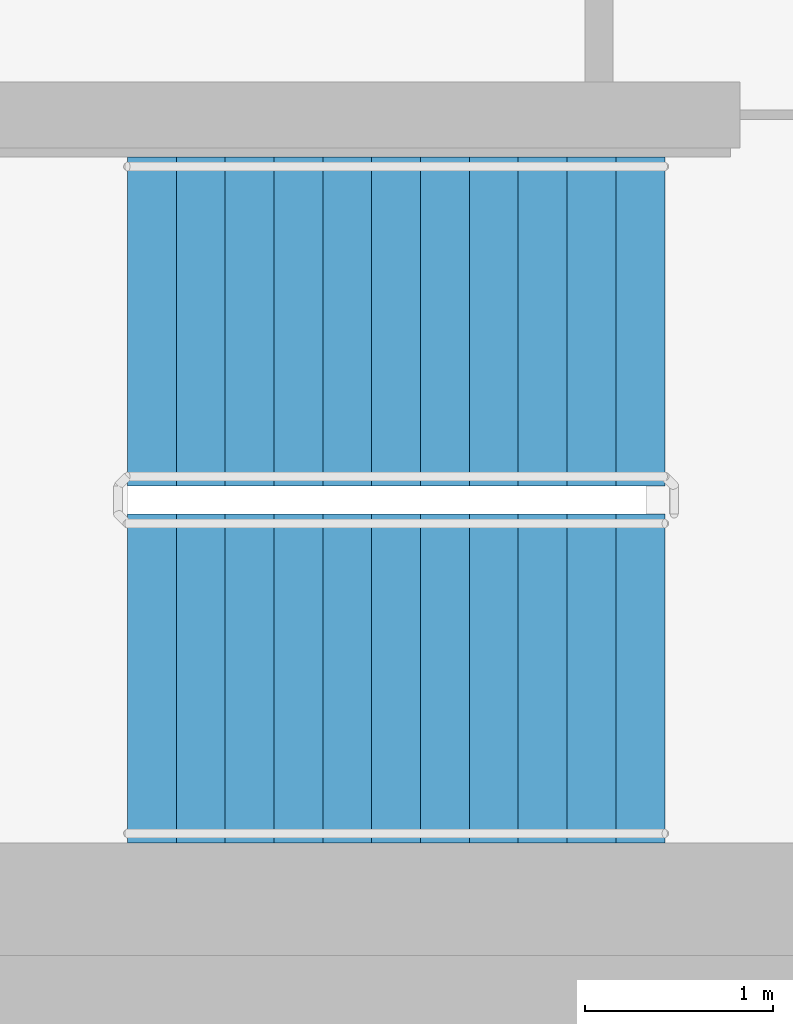
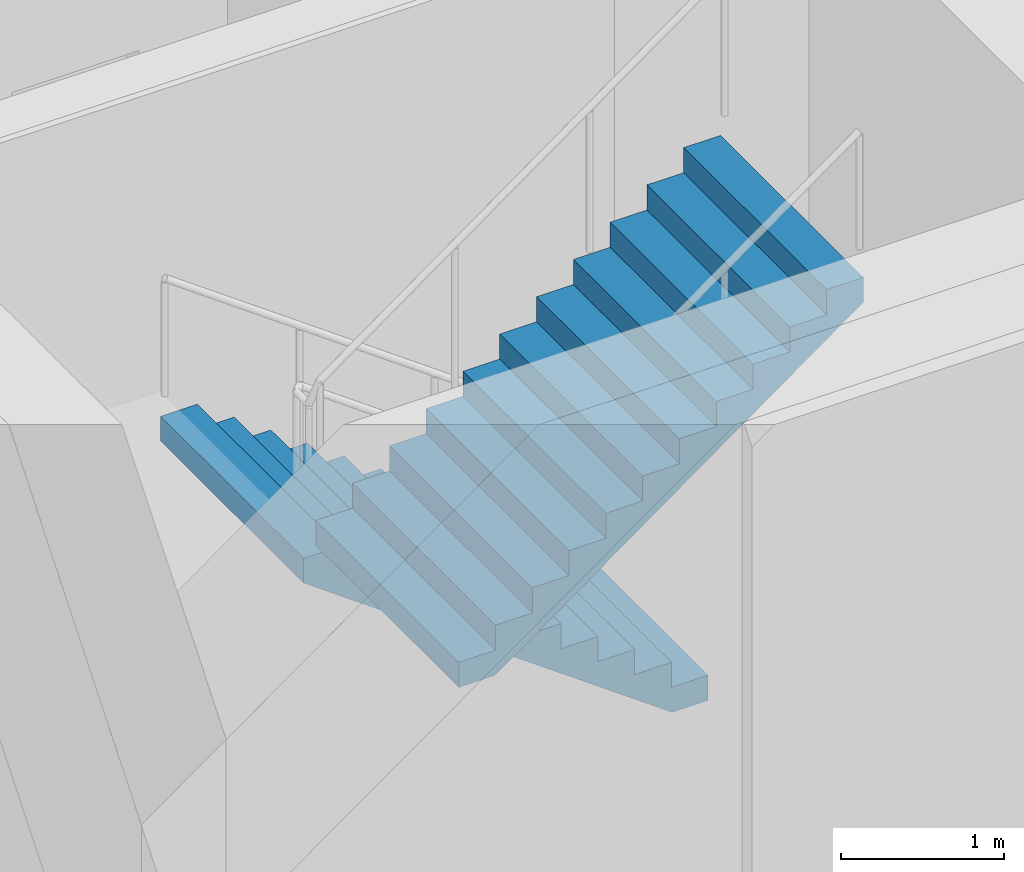
# One storey, part 12 of 20: 2 stair flights, 1 element without a shape of its own.
"""IFC4 building model written with IfcOpenShell, lengths in metres."""

import ifcopenshell
import ifcopenshell.guid

model = None  # the IFC model being written
_history = None  # IfcOwnerHistory: only IFC2X3 demands one
_inside = {}  # id of a spatial element -> (the spatial element, [elements in it])
_under = {}  # id of a project, library or spatial element -> (it, [spatial elements below it])
_declared = {}  # id of a project -> (the project, [libraries it declares])
_typed = {}  # id of a type object -> (the type object, [elements of that type])
_made_of = {}  # id of a material, layer set ... -> (it, [elements and type objects made of it])


def new_model(schema):
    """Start an empty IFC model of exactly this schema.

    Asked for "IFC4X3", IfcOpenShell would pick the latest addendum, in which some entities
    have other attributes; the version numbers below select the first issue.
    IFC2X3 requires an IfcOwnerHistory on every rooted entity: one is made here for all.
    """
    global model, _history
    if schema == "IFC4X3":
        model = ifcopenshell.file(schema_version=(4, 3, 0, 0))
    else:
        model = ifcopenshell.file(schema=schema)
    _inside.clear()
    _under.clear()
    _declared.clear()
    _typed.clear()
    _made_of.clear()
    _history = None
    if model.schema == "IFC2X3":
        org = make("IfcOrganization", Name="unknown")
        user = make(
            "IfcPersonAndOrganization",
            ThePerson=make("IfcPerson", FamilyName="unknown"),
            TheOrganization=org,
        )
        app = make(
            "IfcApplication",
            ApplicationDeveloper=org,
            Version="unknown",
            ApplicationFullName="unknown",
            ApplicationIdentifier="unknown",
        )
        _history = make(
            "IfcOwnerHistory",
            OwningUser=user,
            OwningApplication=app,
            ChangeAction="ADDED",
            CreationDate=0,
        )
    return model


def make(cls, **values):
    """One entity of the class cls with the attributes given. An attribute that is None is left unset."""
    return model.create_entity(
        cls, **{name: value for name, value in values.items() if value is not None}
    )


def rooted(cls, **values):
    """An entity with a GlobalId (a new one), such as an element, a storey or a relation."""
    return make(cls, GlobalId=ifcopenshell.guid.new(), OwnerHistory=_history, **values)


def si_unit(unit_type, name, prefix=None):
    """IfcSIUnit, for example si_unit("LENGTHUNIT", "METRE", prefix="MILLI")."""
    return make("IfcSIUnit", UnitType=unit_type, Prefix=prefix, Name=name)


def assignment(units):
    """IfcUnitAssignment: the units of a project."""
    return None if units is None else make("IfcUnitAssignment", Units=units)


def point(xyz):
    """IfcCartesianPoint."""
    return None if xyz is None else make("IfcCartesianPoint", Coordinates=xyz)


def direction(xyz):
    """IfcDirection."""
    return None if xyz is None else make("IfcDirection", DirectionRatios=xyz)


def frame(location, z_axis=None, x_axis=None):
    """IfcAxis2Placement3D, a coordinate frame: its origin and axes. An axis left out is left unset."""
    return make(
        "IfcAxis2Placement3D",
        Location=point(location),
        Axis=direction(z_axis),
        RefDirection=direction(x_axis),
    )


def origin():
    """The frame at (0, 0, 0) with its axes left unset."""
    return frame((0.0, 0.0, 0.0))


def place(relative_to, where):
    """IfcLocalPlacement: puts the frame where relative to a parent placement (None: the world)."""
    return make(
        "IfcLocalPlacement", PlacementRelTo=relative_to, RelativePlacement=where
    )


def context(
    kind, dimensions, precision=None, world=None, true_north=None, identifier=None
):
    """IfcGeometricRepresentationContext, for example the 3D "Model" context."""
    return make(
        "IfcGeometricRepresentationContext",
        ContextIdentifier=identifier,
        ContextType=kind,
        CoordinateSpaceDimension=dimensions,
        Precision=precision,
        WorldCoordinateSystem=world,
        TrueNorth=true_north,
    )


def subcontext(parent, identifier, kind, view, scale=None):
    """IfcGeometricRepresentationSubContext, for example "Body" below "Model"."""
    return make(
        "IfcGeometricRepresentationSubContext",
        ContextIdentifier=identifier,
        ContextType=kind,
        ParentContext=parent,
        TargetScale=scale,
        TargetView=view,
    )


def project(units=None, contexts=None):
    """IfcProject with its units and contexts."""
    return rooted(
        "IfcProject",
        Name="project",
        RepresentationContexts=contexts,
        UnitsInContext=assignment(units),
    )


def spatial(cls, under=None, at=None, **own):
    """A site, building, storey or space (cls), placed at a placement, below another one or the project."""
    s = rooted(cls, ObjectPlacement=at, **own)
    if under is not None:
        _under.setdefault(under.id(), (under, []))[1].append(s)
    return s


def faces_of(points, faces, orient=None, outer=None):
    """IfcFace entities. A face is a list of loops; a loop is a list of indices into points, from 0.

    orient and outer hold one flag for each loop. By default every Orientation is true, the
    first loop of a face is its IfcFaceOuterBound and the others are IfcFaceBound.
    """
    made = []
    for i, loops in enumerate(faces):
        bounds = []
        for j, loop in enumerate(loops):
            is_outer = j == 0 if outer is None else outer[i][j]
            bounds.append(
                make(
                    "IfcFaceOuterBound" if is_outer else "IfcFaceBound",
                    Bound=make("IfcPolyLoop", Polygon=[points[k] for k in loop]),
                    Orientation=True if orient is None else orient[i][j],
                )
            )
        made.append(make("IfcFace", Bounds=bounds))
    return made


def faceted_brep(points, faces, orient=None, outer=None, voids=None):
    """IfcFacetedBrep: a solid bounded by flat faces; with voids (closed shells), ...WithVoids."""
    shared = [point(p) for p in points]
    hull = make("IfcClosedShell", CfsFaces=faces_of(shared, faces, orient, outer))
    if voids is None:
        return make("IfcFacetedBrep", Outer=hull)
    return make(
        "IfcFacetedBrepWithVoids",
        Outer=hull,
        Voids=[
            make(cls, CfsFaces=faces_of(shared, fs, o, b)) for cls, fs, o, b in voids
        ],
    )


def shape(context_of_items, identifier, shape_type, items):
    """IfcShapeRepresentation: the items that make up one representation, for example the "Body"."""
    return make(
        "IfcShapeRepresentation",
        ContextOfItems=context_of_items,
        RepresentationIdentifier=identifier,
        RepresentationType=shape_type,
        Items=items,
    )


def material(Name=None, Category=None):
    """IfcMaterial."""
    return make("IfcMaterial", Name=Name, Category=Category)


def made_of(thing, what):
    """Note that an element or type object is made of a material, layer set ...; save() writes the relation."""
    if what is not None:
        _made_of.setdefault(what.id(), (what, []))[1].append(thing)
    return thing


def type_object(cls, material=None, **own):
    """A type object (cls), such as IfcWallType, which elements share."""
    return made_of(rooted(cls, **own), material)


def element(
    cls,
    number,
    at=None,
    inside=None,
    cuts=None,
    type_object=None,
    material=None,
    context=None,
    identifier="Body",
    shape_type=None,
    held_by="IfcProductDefinitionShape",
    body=None,
    shapes=None,
    **own,
):
    """One element of the class cls, such as IfcWall. Its Tag is "e" and its number.

    at: its placement. inside: the storey or other place that contains it. cuts: it is an
    opening in that element (IfcRelVoidsElement). A single representation is given by context,
    identifier, shape_type and body (its items); several are given by shapes. held_by: the class
    of the entity that holds the representations. save() writes the other relations.
    """
    e = rooted(cls, Tag="e%d" % number, ObjectPlacement=at, **own)
    if body is not None:
        shapes = [shape(context, identifier, shape_type, body)]
    if shapes is not None:
        e.Representation = make(held_by, Representations=shapes)
    if inside is not None:
        _inside.setdefault(inside.id(), (inside, []))[1].append(e)
    if cuts is not None:
        rooted(
            "IfcRelVoidsElement", RelatingBuildingElement=cuts, RelatedOpeningElement=e
        )
    if type_object is not None:
        _typed.setdefault(type_object.id(), (type_object, []))[1].append(e)
    return made_of(e, material)


def aggregate(whole, parts):
    """IfcRelAggregates: a whole, such as a stair, and the parts it consists of."""
    return rooted("IfcRelAggregates", RelatingObject=whole, RelatedObjects=parts)


def save(model, path):
    """Write the relations noted so far, then the file.

    IfcRelAggregates (storeys below a building ...), IfcRelContainedInSpatialStructure (elements
    in a storey), IfcRelDefinesByType, IfcRelAssociatesMaterial and IfcRelDeclares: one each for
    every whole, place, type object, material and project.
    """
    for whole, parts in _under.values():
        aggregate(whole, parts)
    for where, things in _inside.values():
        rooted(
            "IfcRelContainedInSpatialStructure",
            RelatedElements=things,
            RelatingStructure=where,
        )
    for kind, things in _typed.values():
        rooted("IfcRelDefinesByType", RelatedObjects=things, RelatingType=kind)
    for what, things in _made_of.values():
        rooted("IfcRelAssociatesMaterial", RelatedObjects=things, RelatingMaterial=what)
    for by, libraries in _declared.values():
        rooted("IfcRelDeclares", RelatingContext=by, RelatedDefinitions=libraries)
    model.write(path)


model = new_model("IFC4")

# Units and contexts
model_context = context("Model", 3, precision=1e-05, world=origin(), true_north=direction((0.0, 1.0)))
body_context = subcontext(model_context, "Body", "Model", "MODEL_VIEW")
ifc_project = project(units=[si_unit("LENGTHUNIT", "METRE"), si_unit("AREAUNIT", "SQUARE_METRE"), si_unit("VOLUMEUNIT", "CUBIC_METRE"), si_unit("PLANEANGLEUNIT", "RADIAN"), si_unit("MASSUNIT", "GRAM", prefix="KILO")], contexts=[model_context])

# Site, building, storey
site_placement = place(None, origin())
site = spatial("IfcSite", under=ifc_project, at=site_placement, CompositionType="ELEMENT")
building_placement = place(site_placement, origin())
building = spatial("IfcBuilding", under=site, at=building_placement, Name="Ipe Terrace Towers", CompositionType="ELEMENT")
storey_placement = place(building_placement, frame((0.0, 0.0, 242.39990234375)))
storey = spatial("IfcBuildingStorey", under=building, at=storey_placement, Name="L67", CompositionType="ELEMENT", Elevation=242.39990234375)

# Stair, stair flights
ifc_material_1 = material(Name="Concrete C30/37", Category="concrete")
stair_type = type_object("IfcStairType", Name="Protected exit stair", PredefinedType="HALF_TURN_STAIR", material=ifc_material_1)
stair_placement = place(storey_placement, origin())
stair = element("IfcStair", 1, at=stair_placement, inside=storey, type_object=stair_type, Name="L67 Exit stair T1-C2", PredefinedType="HALF_TURN_STAIR")
ifc_material_2 = material(Name="Concrete C30/37", Category="concrete")
stair_flight_type = type_object("IfcStairFlightType", Name="Exit stair flight 1750", PredefinedType="STRAIGHT", material=ifc_material_2)
stair_flight_1_placement = place(storey_placement, frame((-45.699951171875, -2.77490234375, 0.0), z_axis=(0.0, 0.0, 1.0), x_axis=(-1.0, 0.0, 0.0)))
stair_flight_1 = element("IfcStairFlight", 2, at=stair_flight_1_placement, type_object=stair_flight_type, Name="T1-ST2 flight 1", NumberOfRisers=12, NumberOfTreads=11, PredefinedType="STRAIGHT", RiserHeight=0.1875, TreadLength=0.26, context=body_context, shape_type="Brep", body=[
    faceted_brep([(0.25634765625, -0.875, 0.0), (2.860107421875, -0.875, 1.877685546875), (2.860107421875, -0.875, 2.0625), (2.60009765625, -0.875, 2.0625), (2.60009765625, -0.875, 1.875), (2.340087890625, -0.875, 1.875), (2.340087890625, -0.875, 1.6875), (2.080078125, -0.875, 1.6875), (2.080078125, -0.875, 1.5), (1.820068359375, -0.875, 1.5), (1.820068359375, -0.875, 1.3125), (1.56005859375, -0.875, 1.3125), (1.56005859375, -0.875, 1.125), (1.300048828125, -0.875, 1.125), (1.300048828125, -0.875, 0.9375), (1.0400390625, -0.875, 0.9375), (1.0400390625, -0.875, 0.75), (0.780029296875, -0.875, 0.75), (0.780029296875, -0.875, 0.5625), (0.52001953125, -0.875, 0.5625), (0.52001953125, -0.875, 0.375), (0.260009765625, -0.875, 0.375), (0.260009765625, -0.875, 0.1875), (0.0, -0.875, 0.1875), (0.0, -0.875, 0.0), (0.0, 0.875, 0.0), (0.0, 0.875, 0.1875), (0.260009765625, 0.875, 0.1875), (0.260009765625, 0.875, 0.375), (0.52001953125, 0.875, 0.375), (0.52001953125, 0.875, 0.5625), (0.780029296875, 0.875, 0.5625), (0.780029296875, 0.875, 0.75), (1.0400390625, 0.875, 0.75), (1.0400390625, 0.875, 0.9375), (1.300048828125, 0.875, 0.9375), (1.300048828125, 0.875, 1.125), (1.56005859375, 0.875, 1.125), (1.56005859375, 0.875, 1.3125), (1.820068359375, 0.875, 1.3125), (1.820068359375, 0.875, 1.5), (2.080078125, 0.875, 1.5), (2.080078125, 0.875, 1.6875), (2.340087890625, 0.875, 1.6875), (2.340087890625, 0.875, 1.875), (2.60009765625, 0.875, 1.875), (2.60009765625, 0.875, 2.0625), (2.860107421875, 0.875, 2.0625), (2.860107421875, 0.875, 1.877685546875), (0.25634765625, 0.875, 0.0), (0.0, -0.300048828125, 0.1875), (0.0, -0.1201171875, 0.1875), (0.0, -0.06005859375, 0.1875), (0.0, -0.030029296875, 0.1875), (0.0, -0.010009765625, 0.1875), (0.0, 0.0, 0.1875), (0.0, 0.010009765625, 0.1875), (0.0, 0.030029296875, 0.1875), (0.0, 0.06005859375, 0.1875), (0.0, 0.1201171875, 0.1875), (0.0, 0.300048828125, 0.1875), (0.0, 0.300048828125, 0.0), (0.0, 0.1201171875, 0.0), (0.0, 0.06005859375, 0.0), (0.0, 0.030029296875, 0.0), (0.0, 0.010009765625, 0.0), (0.0, 0.0, 0.0), (0.0, -0.010009765625, 0.0), (0.0, -0.030029296875, 0.0), (0.0, -0.06005859375, 0.0), (0.0, -0.1201171875, 0.0), (0.0, -0.300048828125, 0.0), (0.260009765625, -0.300048828125, 0.1875), (0.260009765625, -0.1201171875, 0.1875), (0.260009765625, -0.06005859375, 0.1875), (0.260009765625, -0.030029296875, 0.1875), (0.260009765625, -0.010009765625, 0.1875), (0.260009765625, 0.0, 0.1875), (0.260009765625, 0.010009765625, 0.1875), (0.260009765625, 0.030029296875, 0.1875), (0.260009765625, 0.06005859375, 0.1875), (0.260009765625, 0.1201171875, 0.1875), (0.260009765625, 0.300048828125, 0.1875), (0.260009765625, -0.300048828125, 0.375), (0.260009765625, -0.1201171875, 0.375), (0.260009765625, -0.06005859375, 0.375), (0.260009765625, -0.030029296875, 0.375), (0.260009765625, -0.010009765625, 0.375), (0.260009765625, 0.0, 0.375), (0.260009765625, 0.010009765625, 0.375), (0.260009765625, 0.030029296875, 0.375), (0.260009765625, 0.06005859375, 0.375), (0.260009765625, 0.1201171875, 0.375), (0.260009765625, 0.300048828125, 0.375), (0.52001953125, -0.300048828125, 0.375), (0.52001953125, -0.1201171875, 0.375), (0.52001953125, -0.06005859375, 0.375), (0.52001953125, -0.030029296875, 0.375), (0.52001953125, -0.010009765625, 0.375), (0.52001953125, 0.0, 0.375), (0.52001953125, 0.010009765625, 0.375), (0.52001953125, 0.030029296875, 0.375), (0.52001953125, 0.06005859375, 0.375), (0.52001953125, 0.1201171875, 0.375), (0.52001953125, 0.300048828125, 0.375), (0.52001953125, -0.300048828125, 0.5625), (0.52001953125, -0.1201171875, 0.5625), (0.52001953125, -0.06005859375, 0.5625), (0.52001953125, -0.030029296875, 0.5625), (0.52001953125, -0.010009765625, 0.5625), (0.52001953125, 0.0, 0.5625), (0.52001953125, 0.010009765625, 0.5625), (0.52001953125, 0.030029296875, 0.5625), (0.52001953125, 0.06005859375, 0.5625), (0.52001953125, 0.1201171875, 0.5625), (0.52001953125, 0.300048828125, 0.5625), (0.780029296875, -0.300048828125, 0.5625), (0.780029296875, -0.1201171875, 0.5625), (0.780029296875, -0.06005859375, 0.5625), (0.780029296875, -0.030029296875, 0.5625), (0.780029296875, -0.010009765625, 0.5625), (0.780029296875, 0.0, 0.5625), (0.780029296875, 0.010009765625, 0.5625), (0.780029296875, 0.030029296875, 0.5625), (0.780029296875, 0.06005859375, 0.5625), (0.780029296875, 0.1201171875, 0.5625), (0.780029296875, 0.300048828125, 0.5625), (0.780029296875, -0.300048828125, 0.75), (0.780029296875, -0.1201171875, 0.75), (0.780029296875, -0.06005859375, 0.75), (0.780029296875, -0.030029296875, 0.75), (0.780029296875, -0.010009765625, 0.75), (0.780029296875, 0.0, 0.75), (0.780029296875, 0.010009765625, 0.75), (0.780029296875, 0.030029296875, 0.75), (0.780029296875, 0.06005859375, 0.75), (0.780029296875, 0.1201171875, 0.75), (0.780029296875, 0.300048828125, 0.75), (1.0400390625, -0.300048828125, 0.75), (1.0400390625, -0.1201171875, 0.75), (1.0400390625, -0.06005859375, 0.75), (1.0400390625, -0.030029296875, 0.75), (1.0400390625, -0.010009765625, 0.75), (1.0400390625, 0.0, 0.75), (1.0400390625, 0.010009765625, 0.75), (1.0400390625, 0.030029296875, 0.75), (1.0400390625, 0.06005859375, 0.75), (1.0400390625, 0.1201171875, 0.75), (1.0400390625, 0.300048828125, 0.75), (1.0400390625, -0.300048828125, 0.9375), (1.0400390625, -0.1201171875, 0.9375), (1.0400390625, -0.06005859375, 0.9375), (1.0400390625, -0.030029296875, 0.9375), (1.0400390625, -0.010009765625, 0.9375), (1.0400390625, 0.0, 0.9375), (1.0400390625, 0.010009765625, 0.9375), (1.0400390625, 0.030029296875, 0.9375), (1.0400390625, 0.06005859375, 0.9375), (1.0400390625, 0.1201171875, 0.9375), (1.0400390625, 0.300048828125, 0.9375), (1.300048828125, -0.300048828125, 0.9375), (1.300048828125, -0.1201171875, 0.9375), (1.300048828125, -0.06005859375, 0.9375), (1.300048828125, -0.030029296875, 0.9375), (1.300048828125, -0.010009765625, 0.9375), (1.300048828125, 0.0, 0.9375), (1.300048828125, 0.010009765625, 0.9375), (1.300048828125, 0.030029296875, 0.9375), (1.300048828125, 0.06005859375, 0.9375), (1.300048828125, 0.1201171875, 0.9375), (1.300048828125, 0.300048828125, 0.9375), (1.300048828125, -0.300048828125, 1.125), (1.300048828125, -0.1201171875, 1.125), (1.300048828125, -0.06005859375, 1.125), (1.300048828125, -0.030029296875, 1.125), (1.300048828125, -0.010009765625, 1.125), (1.300048828125, 0.0, 1.125), (1.300048828125, 0.010009765625, 1.125), (1.300048828125, 0.030029296875, 1.125), (1.300048828125, 0.06005859375, 1.125), (1.300048828125, 0.1201171875, 1.125), (1.300048828125, 0.300048828125, 1.125), (1.56005859375, -0.300048828125, 1.125), (1.56005859375, -0.1201171875, 1.125), (1.56005859375, -0.06005859375, 1.125), (1.56005859375, -0.030029296875, 1.125), (1.56005859375, -0.010009765625, 1.125), (1.56005859375, 0.0, 1.125), (1.56005859375, 0.010009765625, 1.125), (1.56005859375, 0.030029296875, 1.125), (1.56005859375, 0.06005859375, 1.125), (1.56005859375, 0.1201171875, 1.125), (1.56005859375, 0.300048828125, 1.125), (1.56005859375, -0.300048828125, 1.3125), (1.56005859375, -0.1201171875, 1.3125), (1.56005859375, -0.06005859375, 1.3125), (1.56005859375, -0.030029296875, 1.3125), (1.56005859375, -0.010009765625, 1.3125), (1.56005859375, 0.0, 1.3125), (1.56005859375, 0.010009765625, 1.3125), (1.56005859375, 0.030029296875, 1.3125), (1.56005859375, 0.06005859375, 1.3125), (1.56005859375, 0.1201171875, 1.3125), (1.56005859375, 0.300048828125, 1.3125), (1.820068359375, -0.300048828125, 1.3125), (1.820068359375, -0.1201171875, 1.3125), (1.820068359375, -0.06005859375, 1.3125), (1.820068359375, -0.030029296875, 1.3125), (1.820068359375, -0.010009765625, 1.3125), (1.820068359375, 0.0, 1.3125), (1.820068359375, 0.010009765625, 1.3125), (1.820068359375, 0.030029296875, 1.3125), (1.820068359375, 0.06005859375, 1.3125), (1.820068359375, 0.1201171875, 1.3125), (1.820068359375, 0.300048828125, 1.3125), (1.820068359375, -0.300048828125, 1.5), (1.820068359375, -0.1201171875, 1.5), (1.820068359375, -0.06005859375, 1.5), (1.820068359375, -0.030029296875, 1.5), (1.820068359375, -0.010009765625, 1.5), (1.820068359375, 0.0, 1.5), (1.820068359375, 0.010009765625, 1.5), (1.820068359375, 0.030029296875, 1.5), (1.820068359375, 0.06005859375, 1.5), (1.820068359375, 0.1201171875, 1.5), (1.820068359375, 0.300048828125, 1.5), (2.080078125, -0.300048828125, 1.5), (2.080078125, -0.1201171875, 1.5), (2.080078125, -0.06005859375, 1.5), (2.080078125, -0.030029296875, 1.5), (2.080078125, -0.010009765625, 1.5), (2.080078125, 0.0, 1.5), (2.080078125, 0.010009765625, 1.5), (2.080078125, 0.030029296875, 1.5), (2.080078125, 0.06005859375, 1.5), (2.080078125, 0.1201171875, 1.5), (2.080078125, 0.300048828125, 1.5), (2.080078125, -0.300048828125, 1.6875), (2.080078125, -0.1201171875, 1.6875), (2.080078125, -0.06005859375, 1.6875), (2.080078125, -0.030029296875, 1.6875), (2.080078125, -0.010009765625, 1.6875), (2.080078125, 0.0, 1.6875), (2.080078125, 0.010009765625, 1.6875), (2.080078125, 0.030029296875, 1.6875), (2.080078125, 0.06005859375, 1.6875), (2.080078125, 0.1201171875, 1.6875), (2.080078125, 0.300048828125, 1.6875), (2.340087890625, -0.300048828125, 1.6875), (2.340087890625, -0.1201171875, 1.6875), (2.340087890625, -0.06005859375, 1.6875), (2.340087890625, -0.030029296875, 1.6875), (2.340087890625, -0.010009765625, 1.6875), (2.340087890625, 0.0, 1.6875), (2.340087890625, 0.010009765625, 1.6875), (2.340087890625, 0.030029296875, 1.6875), (2.340087890625, 0.06005859375, 1.6875), (2.340087890625, 0.1201171875, 1.6875), (2.340087890625, 0.300048828125, 1.6875), (2.340087890625, -0.300048828125, 1.875), (2.340087890625, -0.1201171875, 1.875), (2.340087890625, -0.06005859375, 1.875), (2.340087890625, -0.030029296875, 1.875), (2.340087890625, -0.010009765625, 1.875), (2.340087890625, 0.0, 1.875), (2.340087890625, 0.010009765625, 1.875), (2.340087890625, 0.030029296875, 1.875), (2.340087890625, 0.06005859375, 1.875), (2.340087890625, 0.1201171875, 1.875), (2.340087890625, 0.300048828125, 1.875), (2.60009765625, -0.300048828125, 1.875), (2.60009765625, -0.1201171875, 1.875), (2.60009765625, -0.06005859375, 1.875), (2.60009765625, -0.030029296875, 1.875), (2.60009765625, -0.010009765625, 1.875), (2.60009765625, 0.0, 1.875), (2.60009765625, 0.010009765625, 1.875), (2.60009765625, 0.030029296875, 1.875), (2.60009765625, 0.06005859375, 1.875), (2.60009765625, 0.1201171875, 1.875), (2.60009765625, 0.300048828125, 1.875), (2.60009765625, -0.300048828125, 2.0625), (2.60009765625, -0.1201171875, 2.0625), (2.60009765625, -0.06005859375, 2.0625), (2.60009765625, -0.030029296875, 2.0625), (2.60009765625, -0.010009765625, 2.0625), (2.60009765625, 0.0, 2.0625), (2.60009765625, 0.010009765625, 2.0625), (2.60009765625, 0.030029296875, 2.0625), (2.60009765625, 0.06005859375, 2.0625), (2.60009765625, 0.1201171875, 2.0625), (2.60009765625, 0.300048828125, 2.0625), (2.860107421875, -0.300048828125, 2.0625), (2.860107421875, -0.1201171875, 2.0625), (2.860107421875, -0.06005859375, 2.0625), (2.860107421875, -0.030029296875, 2.0625), (2.860107421875, -0.010009765625, 2.0625), (2.860107421875, 0.0, 2.0625), (2.860107421875, 0.010009765625, 2.0625), (2.860107421875, 0.030029296875, 2.0625), (2.860107421875, 0.06005859375, 2.0625), (2.860107421875, 0.1201171875, 2.0625), (2.860107421875, 0.300048828125, 2.0625), (2.860107421875, -0.300048828125, 1.877685546875), (2.860107421875, -0.1201171875, 1.877685546875), (2.860107421875, -0.06005859375, 1.877685546875), (2.860107421875, -0.030029296875, 1.877685546875), (2.860107421875, -0.010009765625, 1.877685546875), (2.860107421875, 0.0, 1.877685546875), (2.860107421875, 0.010009765625, 1.877685546875), (2.860107421875, 0.030029296875, 1.877685546875), (2.860107421875, 0.06005859375, 1.877685546875), (2.860107421875, 0.1201171875, 1.877685546875), (2.860107421875, 0.300048828125, 1.877685546875), (0.25634765625, -0.300048828125, 0.0), (0.25634765625, -0.1201171875, 0.0), (0.25634765625, -0.06005859375, 0.0), (0.25634765625, -0.030029296875, 0.0), (0.25634765625, -0.010009765625, 0.0), (0.25634765625, 0.0, 0.0), (0.25634765625, 0.010009765625, 0.0), (0.25634765625, 0.030029296875, 0.0), (0.25634765625, 0.06005859375, 0.0), (0.25634765625, 0.1201171875, 0.0), (0.25634765625, 0.300048828125, 0.0)], [[[0, 1, 2, 3, 4, 5, 6, 7, 8, 9, 10, 11, 12, 13, 14, 15, 16, 17, 18, 19, 20, 21, 22, 23, 24]], [[25, 26, 27, 28, 29, 30, 31, 32, 33, 34, 35, 36, 37, 38, 39, 40, 41, 42, 43, 44, 45, 46, 47, 48, 49]], [[23, 50, 51, 52, 53, 54, 55, 56, 57, 58, 59, 60, 26, 25, 61, 62, 63, 64, 65, 66, 67, 68, 69, 70, 71, 24]], [[22, 72, 73, 74, 75, 76, 77, 78, 79, 80, 81, 82, 27, 26, 60, 59, 58, 57, 56, 55, 54, 53, 52, 51, 50, 23]], [[21, 83, 84, 85, 86, 87, 88, 89, 90, 91, 92, 93, 28, 27, 82, 81, 80, 79, 78, 77, 76, 75, 74, 73, 72, 22]], [[20, 94, 95, 96, 97, 98, 99, 100, 101, 102, 103, 104, 29, 28, 93, 92, 91, 90, 89, 88, 87, 86, 85, 84, 83, 21]], [[19, 105, 106, 107, 108, 109, 110, 111, 112, 113, 114, 115, 30, 29, 104, 103, 102, 101, 100, 99, 98, 97, 96, 95, 94, 20]], [[18, 116, 117, 118, 119, 120, 121, 122, 123, 124, 125, 126, 31, 30, 115, 114, 113, 112, 111, 110, 109, 108, 107, 106, 105, 19]], [[17, 127, 128, 129, 130, 131, 132, 133, 134, 135, 136, 137, 32, 31, 126, 125, 124, 123, 122, 121, 120, 119, 118, 117, 116, 18]], [[16, 138, 139, 140, 141, 142, 143, 144, 145, 146, 147, 148, 33, 32, 137, 136, 135, 134, 133, 132, 131, 130, 129, 128, 127, 17]], [[15, 149, 150, 151, 152, 153, 154, 155, 156, 157, 158, 159, 34, 33, 148, 147, 146, 145, 144, 143, 142, 141, 140, 139, 138, 16]], [[14, 160, 161, 162, 163, 164, 165, 166, 167, 168, 169, 170, 35, 34, 159, 158, 157, 156, 155, 154, 153, 152, 151, 150, 149, 15]], [[13, 171, 172, 173, 174, 175, 176, 177, 178, 179, 180, 181, 36, 35, 170, 169, 168, 167, 166, 165, 164, 163, 162, 161, 160, 14]], [[12, 182, 183, 184, 185, 186, 187, 188, 189, 190, 191, 192, 37, 36, 181, 180, 179, 178, 177, 176, 175, 174, 173, 172, 171, 13]], [[11, 193, 194, 195, 196, 197, 198, 199, 200, 201, 202, 203, 38, 37, 192, 191, 190, 189, 188, 187, 186, 185, 184, 183, 182, 12]], [[10, 204, 205, 206, 207, 208, 209, 210, 211, 212, 213, 214, 39, 38, 203, 202, 201, 200, 199, 198, 197, 196, 195, 194, 193, 11]], [[9, 215, 216, 217, 218, 219, 220, 221, 222, 223, 224, 225, 40, 39, 214, 213, 212, 211, 210, 209, 208, 207, 206, 205, 204, 10]], [[8, 226, 227, 228, 229, 230, 231, 232, 233, 234, 235, 236, 41, 40, 225, 224, 223, 222, 221, 220, 219, 218, 217, 216, 215, 9]], [[7, 237, 238, 239, 240, 241, 242, 243, 244, 245, 246, 247, 42, 41, 236, 235, 234, 233, 232, 231, 230, 229, 228, 227, 226, 8]], [[6, 248, 249, 250, 251, 252, 253, 254, 255, 256, 257, 258, 43, 42, 247, 246, 245, 244, 243, 242, 241, 240, 239, 238, 237, 7]], [[5, 259, 260, 261, 262, 263, 264, 265, 266, 267, 268, 269, 44, 43, 258, 257, 256, 255, 254, 253, 252, 251, 250, 249, 248, 6]], [[4, 270, 271, 272, 273, 274, 275, 276, 277, 278, 279, 280, 45, 44, 269, 268, 267, 266, 265, 264, 263, 262, 261, 260, 259, 5]], [[3, 281, 282, 283, 284, 285, 286, 287, 288, 289, 290, 291, 46, 45, 280, 279, 278, 277, 276, 275, 274, 273, 272, 271, 270, 4]], [[2, 292, 293, 294, 295, 296, 297, 298, 299, 300, 301, 302, 47, 46, 291, 290, 289, 288, 287, 286, 285, 284, 283, 282, 281, 3]], [[1, 303, 304, 305, 306, 307, 308, 309, 310, 311, 312, 313, 48, 47, 302, 301, 300, 299, 298, 297, 296, 295, 294, 293, 292, 2]], [[0, 314, 315, 316, 317, 318, 319, 320, 321, 322, 323, 324, 49, 48, 313, 312, 311, 310, 309, 308, 307, 306, 305, 304, 303, 1]], [[24, 71, 70, 69, 68, 67, 66, 65, 64, 63, 62, 61, 25, 49, 324, 323, 322, 321, 320, 319, 318, 317, 316, 315, 314, 0]]]),
])
stair_flight_2_placement = place(storey_placement, frame((-48.56005859375, -4.675048828125, 2.25), z_axis=(0.0, 0.0, 1.0), x_axis=(1.0, 0.0, 0.0)))
stair_flight_2 = element("IfcStairFlight", 3, at=stair_flight_2_placement, type_object=stair_flight_type, Name="T1-ST2 flight 2", NumberOfRisers=12, NumberOfTreads=11, PredefinedType="STRAIGHT", RiserHeight=0.1875, TreadLength=0.26, context=body_context, shape_type="Brep", body=[
    faceted_brep([(0.25634765625, -0.875, 0.0), (2.860107421875, -0.875, 1.877685546875), (2.860107421875, -0.875, 2.0625), (2.60009765625, -0.875, 2.0625), (2.60009765625, -0.875, 1.875), (2.340087890625, -0.875, 1.875), (2.340087890625, -0.875, 1.6875), (2.080078125, -0.875, 1.6875), (2.080078125, -0.875, 1.5), (1.820068359375, -0.875, 1.5), (1.820068359375, -0.875, 1.3125), (1.56005859375, -0.875, 1.3125), (1.56005859375, -0.875, 1.125), (1.300048828125, -0.875, 1.125), (1.300048828125, -0.875, 0.9375), (1.0400390625, -0.875, 0.9375), (1.0400390625, -0.875, 0.75), (0.780029296875, -0.875, 0.75), (0.780029296875, -0.875, 0.5625), (0.52001953125, -0.875, 0.5625), (0.52001953125, -0.875, 0.375), (0.260009765625, -0.875, 0.375), (0.260009765625, -0.875, 0.1875), (0.0, -0.875, 0.1875), (0.0, -0.875, 0.0), (0.0, 0.875, 0.0), (0.0, 0.875, 0.1875), (0.260009765625, 0.875, 0.1875), (0.260009765625, 0.875, 0.375), (0.52001953125, 0.875, 0.375), (0.52001953125, 0.875, 0.5625), (0.780029296875, 0.875, 0.5625), (0.780029296875, 0.875, 0.75), (1.0400390625, 0.875, 0.75), (1.0400390625, 0.875, 0.9375), (1.300048828125, 0.875, 0.9375), (1.300048828125, 0.875, 1.125), (1.56005859375, 0.875, 1.125), (1.56005859375, 0.875, 1.3125), (1.820068359375, 0.875, 1.3125), (1.820068359375, 0.875, 1.5), (2.080078125, 0.875, 1.5), (2.080078125, 0.875, 1.6875), (2.340087890625, 0.875, 1.6875), (2.340087890625, 0.875, 1.875), (2.60009765625, 0.875, 1.875), (2.60009765625, 0.875, 2.0625), (2.860107421875, 0.875, 2.0625), (2.860107421875, 0.875, 1.877685546875), (0.25634765625, 0.875, 0.0), (0.0, -0.300048828125, 0.1875), (0.0, -0.1201171875, 0.1875), (0.0, -0.06005859375, 0.1875), (0.0, -0.030029296875, 0.1875), (0.0, -0.010009765625, 0.1875), (0.0, 0.0, 0.1875), (0.0, 0.010009765625, 0.1875), (0.0, 0.030029296875, 0.1875), (0.0, 0.06005859375, 0.1875), (0.0, 0.1201171875, 0.1875), (0.0, 0.300048828125, 0.1875), (0.0, 0.300048828125, 0.0), (0.0, 0.1201171875, 0.0), (0.0, 0.06005859375, 0.0), (0.0, 0.030029296875, 0.0), (0.0, 0.010009765625, 0.0), (0.0, 0.0, 0.0), (0.0, -0.010009765625, 0.0), (0.0, -0.030029296875, 0.0), (0.0, -0.06005859375, 0.0), (0.0, -0.1201171875, 0.0), (0.0, -0.300048828125, 0.0), (0.260009765625, -0.300048828125, 0.1875), (0.260009765625, -0.1201171875, 0.1875), (0.260009765625, -0.06005859375, 0.1875), (0.260009765625, -0.030029296875, 0.1875), (0.260009765625, -0.010009765625, 0.1875), (0.260009765625, 0.0, 0.1875), (0.260009765625, 0.010009765625, 0.1875), (0.260009765625, 0.030029296875, 0.1875), (0.260009765625, 0.06005859375, 0.1875), (0.260009765625, 0.1201171875, 0.1875), (0.260009765625, 0.300048828125, 0.1875), (0.260009765625, -0.300048828125, 0.375), (0.260009765625, -0.1201171875, 0.375), (0.260009765625, -0.06005859375, 0.375), (0.260009765625, -0.030029296875, 0.375), (0.260009765625, -0.010009765625, 0.375), (0.260009765625, 0.0, 0.375), (0.260009765625, 0.010009765625, 0.375), (0.260009765625, 0.030029296875, 0.375), (0.260009765625, 0.06005859375, 0.375), (0.260009765625, 0.1201171875, 0.375), (0.260009765625, 0.300048828125, 0.375), (0.52001953125, -0.300048828125, 0.375), (0.52001953125, -0.1201171875, 0.375), (0.52001953125, -0.06005859375, 0.375), (0.52001953125, -0.030029296875, 0.375), (0.52001953125, -0.010009765625, 0.375), (0.52001953125, 0.0, 0.375), (0.52001953125, 0.010009765625, 0.375), (0.52001953125, 0.030029296875, 0.375), (0.52001953125, 0.06005859375, 0.375), (0.52001953125, 0.1201171875, 0.375), (0.52001953125, 0.300048828125, 0.375), (0.52001953125, -0.300048828125, 0.5625), (0.52001953125, -0.1201171875, 0.5625), (0.52001953125, -0.06005859375, 0.5625), (0.52001953125, -0.030029296875, 0.5625), (0.52001953125, -0.010009765625, 0.5625), (0.52001953125, 0.0, 0.5625), (0.52001953125, 0.010009765625, 0.5625), (0.52001953125, 0.030029296875, 0.5625), (0.52001953125, 0.06005859375, 0.5625), (0.52001953125, 0.1201171875, 0.5625), (0.52001953125, 0.300048828125, 0.5625), (0.780029296875, -0.300048828125, 0.5625), (0.780029296875, -0.1201171875, 0.5625), (0.780029296875, -0.06005859375, 0.5625), (0.780029296875, -0.030029296875, 0.5625), (0.780029296875, -0.010009765625, 0.5625), (0.780029296875, 0.0, 0.5625), (0.780029296875, 0.010009765625, 0.5625), (0.780029296875, 0.030029296875, 0.5625), (0.780029296875, 0.06005859375, 0.5625), (0.780029296875, 0.1201171875, 0.5625), (0.780029296875, 0.300048828125, 0.5625), (0.780029296875, -0.300048828125, 0.75), (0.780029296875, -0.1201171875, 0.75), (0.780029296875, -0.06005859375, 0.75), (0.780029296875, -0.030029296875, 0.75), (0.780029296875, -0.010009765625, 0.75), (0.780029296875, 0.0, 0.75), (0.780029296875, 0.010009765625, 0.75), (0.780029296875, 0.030029296875, 0.75), (0.780029296875, 0.06005859375, 0.75), (0.780029296875, 0.1201171875, 0.75), (0.780029296875, 0.300048828125, 0.75), (1.0400390625, -0.300048828125, 0.75), (1.0400390625, -0.1201171875, 0.75), (1.0400390625, -0.06005859375, 0.75), (1.0400390625, -0.030029296875, 0.75), (1.0400390625, -0.010009765625, 0.75), (1.0400390625, 0.0, 0.75), (1.0400390625, 0.010009765625, 0.75), (1.0400390625, 0.030029296875, 0.75), (1.0400390625, 0.06005859375, 0.75), (1.0400390625, 0.1201171875, 0.75), (1.0400390625, 0.300048828125, 0.75), (1.0400390625, -0.300048828125, 0.9375), (1.0400390625, -0.1201171875, 0.9375), (1.0400390625, -0.06005859375, 0.9375), (1.0400390625, -0.030029296875, 0.9375), (1.0400390625, -0.010009765625, 0.9375), (1.0400390625, 0.0, 0.9375), (1.0400390625, 0.010009765625, 0.9375), (1.0400390625, 0.030029296875, 0.9375), (1.0400390625, 0.06005859375, 0.9375), (1.0400390625, 0.1201171875, 0.9375), (1.0400390625, 0.300048828125, 0.9375), (1.300048828125, -0.300048828125, 0.9375), (1.300048828125, -0.1201171875, 0.9375), (1.300048828125, -0.06005859375, 0.9375), (1.300048828125, -0.030029296875, 0.9375), (1.300048828125, -0.010009765625, 0.9375), (1.300048828125, 0.0, 0.9375), (1.300048828125, 0.010009765625, 0.9375), (1.300048828125, 0.030029296875, 0.9375), (1.300048828125, 0.06005859375, 0.9375), (1.300048828125, 0.1201171875, 0.9375), (1.300048828125, 0.300048828125, 0.9375), (1.300048828125, -0.300048828125, 1.125), (1.300048828125, -0.1201171875, 1.125), (1.300048828125, -0.06005859375, 1.125), (1.300048828125, -0.030029296875, 1.125), (1.300048828125, -0.010009765625, 1.125), (1.300048828125, 0.0, 1.125), (1.300048828125, 0.010009765625, 1.125), (1.300048828125, 0.030029296875, 1.125), (1.300048828125, 0.06005859375, 1.125), (1.300048828125, 0.1201171875, 1.125), (1.300048828125, 0.300048828125, 1.125), (1.56005859375, -0.300048828125, 1.125), (1.56005859375, -0.1201171875, 1.125), (1.56005859375, -0.06005859375, 1.125), (1.56005859375, -0.030029296875, 1.125), (1.56005859375, -0.010009765625, 1.125), (1.56005859375, 0.0, 1.125), (1.56005859375, 0.010009765625, 1.125), (1.56005859375, 0.030029296875, 1.125), (1.56005859375, 0.06005859375, 1.125), (1.56005859375, 0.1201171875, 1.125), (1.56005859375, 0.300048828125, 1.125), (1.56005859375, -0.300048828125, 1.3125), (1.56005859375, -0.1201171875, 1.3125), (1.56005859375, -0.06005859375, 1.3125), (1.56005859375, -0.030029296875, 1.3125), (1.56005859375, -0.010009765625, 1.3125), (1.56005859375, 0.0, 1.3125), (1.56005859375, 0.010009765625, 1.3125), (1.56005859375, 0.030029296875, 1.3125), (1.56005859375, 0.06005859375, 1.3125), (1.56005859375, 0.1201171875, 1.3125), (1.56005859375, 0.300048828125, 1.3125), (1.820068359375, -0.300048828125, 1.3125), (1.820068359375, -0.1201171875, 1.3125), (1.820068359375, -0.06005859375, 1.3125), (1.820068359375, -0.030029296875, 1.3125), (1.820068359375, -0.010009765625, 1.3125), (1.820068359375, 0.0, 1.3125), (1.820068359375, 0.010009765625, 1.3125), (1.820068359375, 0.030029296875, 1.3125), (1.820068359375, 0.06005859375, 1.3125), (1.820068359375, 0.1201171875, 1.3125), (1.820068359375, 0.300048828125, 1.3125), (1.820068359375, -0.300048828125, 1.5), (1.820068359375, -0.1201171875, 1.5), (1.820068359375, -0.06005859375, 1.5), (1.820068359375, -0.030029296875, 1.5), (1.820068359375, -0.010009765625, 1.5), (1.820068359375, 0.0, 1.5), (1.820068359375, 0.010009765625, 1.5), (1.820068359375, 0.030029296875, 1.5), (1.820068359375, 0.06005859375, 1.5), (1.820068359375, 0.1201171875, 1.5), (1.820068359375, 0.300048828125, 1.5), (2.080078125, -0.300048828125, 1.5), (2.080078125, -0.1201171875, 1.5), (2.080078125, -0.06005859375, 1.5), (2.080078125, -0.030029296875, 1.5), (2.080078125, -0.010009765625, 1.5), (2.080078125, 0.0, 1.5), (2.080078125, 0.010009765625, 1.5), (2.080078125, 0.030029296875, 1.5), (2.080078125, 0.06005859375, 1.5), (2.080078125, 0.1201171875, 1.5), (2.080078125, 0.300048828125, 1.5), (2.080078125, -0.300048828125, 1.6875), (2.080078125, -0.1201171875, 1.6875), (2.080078125, -0.06005859375, 1.6875), (2.080078125, -0.030029296875, 1.6875), (2.080078125, -0.010009765625, 1.6875), (2.080078125, 0.0, 1.6875), (2.080078125, 0.010009765625, 1.6875), (2.080078125, 0.030029296875, 1.6875), (2.080078125, 0.06005859375, 1.6875), (2.080078125, 0.1201171875, 1.6875), (2.080078125, 0.300048828125, 1.6875), (2.340087890625, -0.300048828125, 1.6875), (2.340087890625, -0.1201171875, 1.6875), (2.340087890625, -0.06005859375, 1.6875), (2.340087890625, -0.030029296875, 1.6875), (2.340087890625, -0.010009765625, 1.6875), (2.340087890625, 0.0, 1.6875), (2.340087890625, 0.010009765625, 1.6875), (2.340087890625, 0.030029296875, 1.6875), (2.340087890625, 0.06005859375, 1.6875), (2.340087890625, 0.1201171875, 1.6875), (2.340087890625, 0.300048828125, 1.6875), (2.340087890625, -0.300048828125, 1.875), (2.340087890625, -0.1201171875, 1.875), (2.340087890625, -0.06005859375, 1.875), (2.340087890625, -0.030029296875, 1.875), (2.340087890625, -0.010009765625, 1.875), (2.340087890625, 0.0, 1.875), (2.340087890625, 0.010009765625, 1.875), (2.340087890625, 0.030029296875, 1.875), (2.340087890625, 0.06005859375, 1.875), (2.340087890625, 0.1201171875, 1.875), (2.340087890625, 0.300048828125, 1.875), (2.60009765625, -0.300048828125, 1.875), (2.60009765625, -0.1201171875, 1.875), (2.60009765625, -0.06005859375, 1.875), (2.60009765625, -0.030029296875, 1.875), (2.60009765625, -0.010009765625, 1.875), (2.60009765625, 0.0, 1.875), (2.60009765625, 0.010009765625, 1.875), (2.60009765625, 0.030029296875, 1.875), (2.60009765625, 0.06005859375, 1.875), (2.60009765625, 0.1201171875, 1.875), (2.60009765625, 0.300048828125, 1.875), (2.60009765625, -0.300048828125, 2.0625), (2.60009765625, -0.1201171875, 2.0625), (2.60009765625, -0.06005859375, 2.0625), (2.60009765625, -0.030029296875, 2.0625), (2.60009765625, -0.010009765625, 2.0625), (2.60009765625, 0.0, 2.0625), (2.60009765625, 0.010009765625, 2.0625), (2.60009765625, 0.030029296875, 2.0625), (2.60009765625, 0.06005859375, 2.0625), (2.60009765625, 0.1201171875, 2.0625), (2.60009765625, 0.300048828125, 2.0625), (2.860107421875, -0.300048828125, 2.0625), (2.860107421875, -0.1201171875, 2.0625), (2.860107421875, -0.06005859375, 2.0625), (2.860107421875, -0.030029296875, 2.0625), (2.860107421875, -0.010009765625, 2.0625), (2.860107421875, 0.0, 2.0625), (2.860107421875, 0.010009765625, 2.0625), (2.860107421875, 0.030029296875, 2.0625), (2.860107421875, 0.06005859375, 2.0625), (2.860107421875, 0.1201171875, 2.0625), (2.860107421875, 0.300048828125, 2.0625), (2.860107421875, -0.300048828125, 1.877685546875), (2.860107421875, -0.1201171875, 1.877685546875), (2.860107421875, -0.06005859375, 1.877685546875), (2.860107421875, -0.030029296875, 1.877685546875), (2.860107421875, -0.010009765625, 1.877685546875), (2.860107421875, 0.0, 1.877685546875), (2.860107421875, 0.010009765625, 1.877685546875), (2.860107421875, 0.030029296875, 1.877685546875), (2.860107421875, 0.06005859375, 1.877685546875), (2.860107421875, 0.1201171875, 1.877685546875), (2.860107421875, 0.300048828125, 1.877685546875), (0.25634765625, -0.300048828125, 0.0), (0.25634765625, -0.1201171875, 0.0), (0.25634765625, -0.06005859375, 0.0), (0.25634765625, -0.030029296875, 0.0), (0.25634765625, -0.010009765625, 0.0), (0.25634765625, 0.0, 0.0), (0.25634765625, 0.010009765625, 0.0), (0.25634765625, 0.030029296875, 0.0), (0.25634765625, 0.06005859375, 0.0), (0.25634765625, 0.1201171875, 0.0), (0.25634765625, 0.300048828125, 0.0)], [[[0, 1, 2, 3, 4, 5, 6, 7, 8, 9, 10, 11, 12, 13, 14, 15, 16, 17, 18, 19, 20, 21, 22, 23, 24]], [[25, 26, 27, 28, 29, 30, 31, 32, 33, 34, 35, 36, 37, 38, 39, 40, 41, 42, 43, 44, 45, 46, 47, 48, 49]], [[23, 50, 51, 52, 53, 54, 55, 56, 57, 58, 59, 60, 26, 25, 61, 62, 63, 64, 65, 66, 67, 68, 69, 70, 71, 24]], [[22, 72, 73, 74, 75, 76, 77, 78, 79, 80, 81, 82, 27, 26, 60, 59, 58, 57, 56, 55, 54, 53, 52, 51, 50, 23]], [[21, 83, 84, 85, 86, 87, 88, 89, 90, 91, 92, 93, 28, 27, 82, 81, 80, 79, 78, 77, 76, 75, 74, 73, 72, 22]], [[20, 94, 95, 96, 97, 98, 99, 100, 101, 102, 103, 104, 29, 28, 93, 92, 91, 90, 89, 88, 87, 86, 85, 84, 83, 21]], [[19, 105, 106, 107, 108, 109, 110, 111, 112, 113, 114, 115, 30, 29, 104, 103, 102, 101, 100, 99, 98, 97, 96, 95, 94, 20]], [[18, 116, 117, 118, 119, 120, 121, 122, 123, 124, 125, 126, 31, 30, 115, 114, 113, 112, 111, 110, 109, 108, 107, 106, 105, 19]], [[17, 127, 128, 129, 130, 131, 132, 133, 134, 135, 136, 137, 32, 31, 126, 125, 124, 123, 122, 121, 120, 119, 118, 117, 116, 18]], [[16, 138, 139, 140, 141, 142, 143, 144, 145, 146, 147, 148, 33, 32, 137, 136, 135, 134, 133, 132, 131, 130, 129, 128, 127, 17]], [[15, 149, 150, 151, 152, 153, 154, 155, 156, 157, 158, 159, 34, 33, 148, 147, 146, 145, 144, 143, 142, 141, 140, 139, 138, 16]], [[14, 160, 161, 162, 163, 164, 165, 166, 167, 168, 169, 170, 35, 34, 159, 158, 157, 156, 155, 154, 153, 152, 151, 150, 149, 15]], [[13, 171, 172, 173, 174, 175, 176, 177, 178, 179, 180, 181, 36, 35, 170, 169, 168, 167, 166, 165, 164, 163, 162, 161, 160, 14]], [[12, 182, 183, 184, 185, 186, 187, 188, 189, 190, 191, 192, 37, 36, 181, 180, 179, 178, 177, 176, 175, 174, 173, 172, 171, 13]], [[11, 193, 194, 195, 196, 197, 198, 199, 200, 201, 202, 203, 38, 37, 192, 191, 190, 189, 188, 187, 186, 185, 184, 183, 182, 12]], [[10, 204, 205, 206, 207, 208, 209, 210, 211, 212, 213, 214, 39, 38, 203, 202, 201, 200, 199, 198, 197, 196, 195, 194, 193, 11]], [[9, 215, 216, 217, 218, 219, 220, 221, 222, 223, 224, 225, 40, 39, 214, 213, 212, 211, 210, 209, 208, 207, 206, 205, 204, 10]], [[8, 226, 227, 228, 229, 230, 231, 232, 233, 234, 235, 236, 41, 40, 225, 224, 223, 222, 221, 220, 219, 218, 217, 216, 215, 9]], [[7, 237, 238, 239, 240, 241, 242, 243, 244, 245, 246, 247, 42, 41, 236, 235, 234, 233, 232, 231, 230, 229, 228, 227, 226, 8]], [[6, 248, 249, 250, 251, 252, 253, 254, 255, 256, 257, 258, 43, 42, 247, 246, 245, 244, 243, 242, 241, 240, 239, 238, 237, 7]], [[5, 259, 260, 261, 262, 263, 264, 265, 266, 267, 268, 269, 44, 43, 258, 257, 256, 255, 254, 253, 252, 251, 250, 249, 248, 6]], [[4, 270, 271, 272, 273, 274, 275, 276, 277, 278, 279, 280, 45, 44, 269, 268, 267, 266, 265, 264, 263, 262, 261, 260, 259, 5]], [[3, 281, 282, 283, 284, 285, 286, 287, 288, 289, 290, 291, 46, 45, 280, 279, 278, 277, 276, 275, 274, 273, 272, 271, 270, 4]], [[2, 292, 293, 294, 295, 296, 297, 298, 299, 300, 301, 302, 47, 46, 291, 290, 289, 288, 287, 286, 285, 284, 283, 282, 281, 3]], [[1, 303, 304, 305, 306, 307, 308, 309, 310, 311, 312, 313, 48, 47, 302, 301, 300, 299, 298, 297, 296, 295, 294, 293, 292, 2]], [[0, 314, 315, 316, 317, 318, 319, 320, 321, 322, 323, 324, 49, 48, 313, 312, 311, 310, 309, 308, 307, 306, 305, 304, 303, 1]], [[24, 71, 70, 69, 68, 67, 66, 65, 64, 63, 62, 61, 25, 49, 324, 323, 322, 321, 320, 319, 318, 317, 316, 315, 314, 0]]]),
])
aggregate(stair, [stair_flight_1, stair_flight_2])

save(model, "model.ifc")
